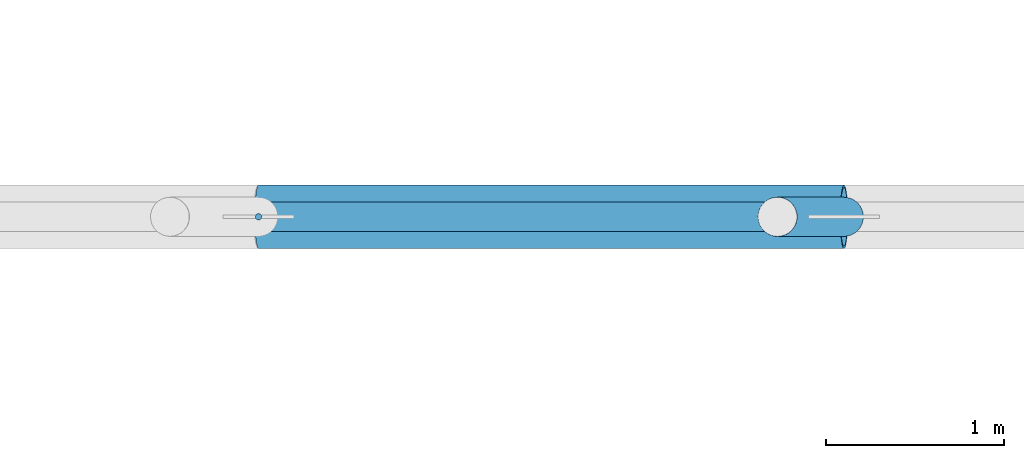
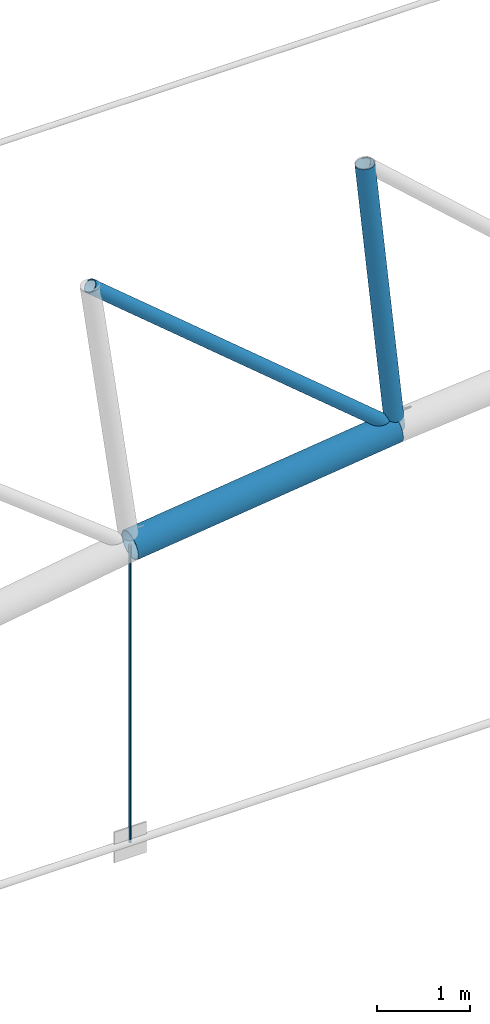
# One storey, part 60 of 321: 4 members.
"""IFC4 building model written with IfcOpenShell, lengths in metres."""

from ifc_helpers import new_model, si_unit, direction, frame, origin, origin_2d, place, context, subcontext, project, spatial, circle, hollow_circle, extrude, material, material_profile, profile_set, type_object, element, save


model = new_model("IFC4")

# Units and contexts
model_context = context("Model", 3, precision=1e-05, world=origin(), true_north=direction((0.0, 1.0)))
body_context = subcontext(model_context, "Body", "Model", "MODEL_VIEW")
ifc_project = project(units=[si_unit("LENGTHUNIT", "METRE"), si_unit("AREAUNIT", "SQUARE_METRE"), si_unit("VOLUMEUNIT", "CUBIC_METRE"), si_unit("PLANEANGLEUNIT", "RADIAN"), si_unit("MASSUNIT", "GRAM", prefix="KILO")], contexts=[model_context])

# Site, building, storey
site_placement = place(None, origin())
site = spatial("IfcSite", under=ifc_project, at=site_placement, CompositionType="ELEMENT")
building_placement = place(site_placement, origin())
building = spatial("IfcBuilding", under=site, at=building_placement, Name="Ravi Spectrum Wholesale Market", CompositionType="ELEMENT")
storey_placement = place(building_placement, frame((0.0, 0.0, 10.800048828125)))
storey = spatial("IfcBuildingStorey", under=building, at=storey_placement, Name="L02", CompositionType="ELEMENT", Elevation=10.800048828125)

# Members
ifc_material_1 = material(Name="Steel S355", Category="steel")
ifc_material_profile_1 = material_profile(ifc_material_1, hollow_circle(Radius=0.084228515625, WallThickness=0.00634765625, at=origin_2d()))
ifc_profile_set_1 = profile_set([ifc_material_profile_1], Name="Steel S355")
member_type_1 = type_object("IfcMemberType", Name="CHS 168.3x6.3 brace", PredefinedType="BRACE", material=ifc_profile_set_1)
member_1_placement = place(storey_placement, frame((56.321533203125, 78.0, 7.45458984375), z_axis=(0.766252893925, 0.0, -0.642539105854), x_axis=(0.0, 1.0, 0.0)))
element("IfcMember", 1, at=member_1_placement, inside=storey, type_object=member_type_1, Name="H1-MB-L02-403", PredefinedType="BRACE", context=body_context, shape_type="SweptSolid", body=[
    extrude(hollow_circle(Radius=0.084228515625, WallThickness=0.00634765625, at=origin_2d()), origin(), (0.0, 0.0, 1.0), 4.9296875),
])
ifc_material_2 = material(Name="Steel S355", Category="steel")
ifc_material_profile_2 = material_profile(ifc_material_2, hollow_circle(Radius=0.109619140625, WallThickness=0.008056640625, at=origin_2d()))
ifc_profile_set_2 = profile_set([ifc_material_profile_2], Name="Steel S355")
member_type_2 = type_object("IfcMemberType", Name="CHS 219.1x8 post", PredefinedType="POST", material=ifc_profile_set_2)
member_2_placement = place(storey_placement, frame((59.726806640625, 78.0, 7.867919921875), z_axis=(0.103350310801, 0.0, -0.994645018716), x_axis=(0.0, 1.0, 0.0)))
element("IfcMember", 2, at=member_2_placement, inside=storey, type_object=member_type_2, Name="H1-MB-L02-381", PredefinedType="POST", context=body_context, shape_type="SweptSolid", body=[
    extrude(hollow_circle(Radius=0.109619140625, WallThickness=0.008056640625, at=origin_2d()), origin(), (0.0, 0.0, 1.0), 3.60009765625),
])
ifc_material_3 = material(Name="Steel S355", Category="steel")
ifc_material_profile_3 = material_profile(ifc_material_3, hollow_circle(Radius=0.177734375, WallThickness=0.012451171875, at=origin_2d()))
ifc_profile_set_3 = profile_set([ifc_material_profile_3], Name="Steel S355")
member_type_3 = type_object("IfcMemberType", Name="CHS 355.6x12.5 chord", PredefinedType="CHORD", material=ifc_profile_set_3)
member_3_placement = place(storey_placement, frame((56.81689453125, 78.0, 3.888916015625), z_axis=(0.99272014244, 0.0, 0.120443840833), x_axis=(0.0, 1.0, 0.0)))
element("IfcMember", 3, at=member_3_placement, inside=storey, type_object=member_type_3, Name="H1-MB-L02-357", PredefinedType="CHORD", context=body_context, shape_type="SweptSolid", body=[
    extrude(hollow_circle(Radius=0.177734375, WallThickness=0.012451171875, at=origin_2d()), origin(), (0.0, 0.0, 1.0), 3.30615234375),
])
ifc_material_4 = material(Name="Steel S355", Category="steel")
ifc_material_profile_4 = material_profile(ifc_material_4, circle(Radius=0.01806640625, at=origin_2d()))
ifc_profile_set_4 = profile_set([ifc_material_profile_4], Name="Steel S355")
member_type_4 = type_object("IfcMemberType", Name="ROD 36 hanger", PredefinedType="STRUT", material=ifc_profile_set_4)
member_4_placement = place(storey_placement, frame((56.81689453125, 78.0, 0.0), z_axis=(0.0, 0.0, 1.0), x_axis=(1.0, 0.0, 0.0)))
element("IfcMember", 4, at=member_4_placement, inside=storey, type_object=member_type_4, Name="H1-MB-L02-420", PredefinedType="STRUT", context=body_context, shape_type="SweptSolid", body=[
    extrude(circle(Radius=0.01806640625, at=origin_2d()), origin(), (0.0, 0.0, 1.0), 3.888916015625),
])

save(model, "model.ifc")
